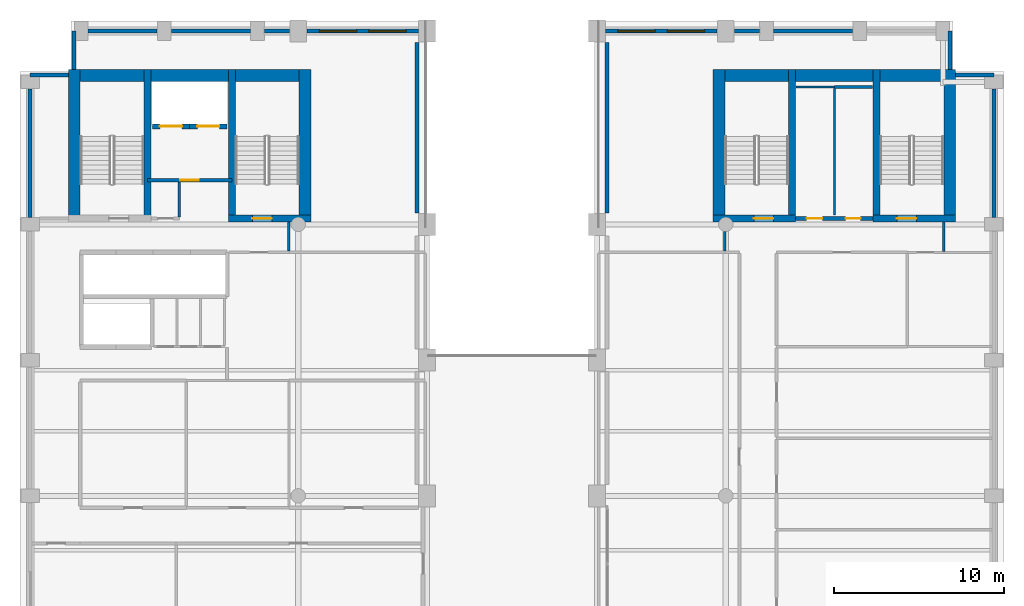
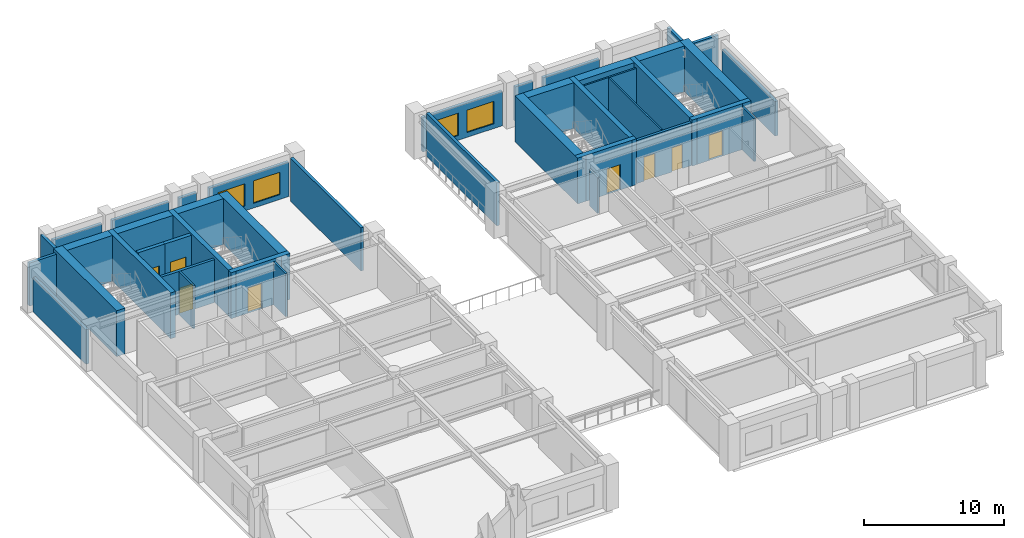
# One storey, part 6 of 10: 39 walls, 8 doors, 4 windows, 12 openings.
"""IFC4 building model written with IfcOpenShell, lengths in metres."""

from ifc_helpers import new_model, si_unit, direction, frame, frame_2d, origin, place, context, subcontext, project, spatial, rectangle, extrude, material, layer, layer_set, type_object, element, fill, save


model = new_model("IFC4")

# Units and contexts
model_context = context("Model", 3, precision=1e-05, world=origin(), true_north=direction((0.0, 1.0)))
body_context = subcontext(model_context, "Body", "Model", "MODEL_VIEW")
ifc_project = project(units=[si_unit("LENGTHUNIT", "METRE"), si_unit("AREAUNIT", "SQUARE_METRE"), si_unit("VOLUMEUNIT", "CUBIC_METRE"), si_unit("PLANEANGLEUNIT", "RADIAN"), si_unit("MASSUNIT", "GRAM", prefix="KILO")], contexts=[model_context])

# Site, building, storey
site_placement = place(None, origin())
site = spatial("IfcSite", under=ifc_project, at=site_placement, CompositionType="ELEMENT")
building_placement = place(site_placement, origin())
building = spatial("IfcBuilding", under=site, at=building_placement, Name="Sulina Concourse Tower", CompositionType="ELEMENT")
storey_placement = place(building_placement, frame((0.0, 0.0, 182.60009765625)))
storey = spatial("IfcBuildingStorey", under=building, at=storey_placement, Name="L44", CompositionType="ELEMENT", Elevation=182.60009765625)

# Wall, opening, door
ifc_material_1 = material(Name="Concrete C50/60", Category="concrete")
ifc_layer_1 = layer(ifc_material_1, 0.300048828125)
ifc_layer_set_1 = layer_set([ifc_layer_1], Name="Concrete C50/60")
wall_type_1 = type_object("IfcWallType", Name="Core Lift Hoistway Wall 300mm", PredefinedType="SOLIDWALL", material=ifc_layer_set_1)
wall_1_placement = place(storey_placement, frame((10.0, 39.780029296875, 0.0), z_axis=(0.0, 0.0, 1.0), x_axis=(-1.0, 0.0, 0.0)))
wall_1 = element("IfcWall", 1, at=wall_1_placement, inside=storey, type_object=wall_type_1, Name="L44 hoistway enclosure wall FFL-1", PredefinedType="SOLIDWALL", context=body_context, shape_type="SweptSolid", body=[
    extrude(rectangle(XDim=2.199951171875, YDim=0.300048828125, at=frame_2d((1.10009765625, 0.0))), origin(), (0.0, 0.0, 1.0), 4.0),
])
opening_1_placement = place(wall_1_placement, frame((0.449951171875, 0.0, 0.0)))
opening_1 = element("IfcOpeningElement", 2, at=opening_1_placement, cuts=wall_1, Name="Opening LD-02", PredefinedType="OPENING", context=body_context, shape_type="SweptSolid", body=[
    extrude(rectangle(XDim=1.300048828125, YDim=2.25, at=frame_2d((0.64990234375, 1.125))), frame((0.0, 0.159912109375, 0.0), z_axis=(0.0, -1.0, 0.0), x_axis=(1.0, 0.0, 0.0)), (0.0, 0.0, 1.0), 0.320068359375),
])
ifc_material_2 = material(Name="Stainless steel lift landing door", Category="steel")
ifc_layer_2 = layer(ifc_material_2, 0.050048828125)
ifc_layer_set_2 = layer_set([ifc_layer_2], Name="Stainless steel lift landing door")
door_type_1 = type_object("IfcDoorType", Name="Firefighting Lift Sliding Landing Door 1300x2250", OperationType="SLIDING_TO_RIGHT", PredefinedType="DOOR", material=ifc_layer_set_2)
door_1_placement = place(opening_1_placement, origin())
door_1 = element("IfcDoor", 3, at=door_1_placement, inside=storey, type_object=door_type_1, Name="L44 lift landing sliding door FFL-1", OperationType="SLIDING_TO_LEFT", OverallHeight=2.25, OverallWidth=1.300048828125, PredefinedType="DOOR", context=body_context, shape_type="SweptSolid", body=[
    extrude(rectangle(XDim=1.300048828125, YDim=2.25, at=frame_2d((0.64990234375, 1.125))), frame((0.0, 0.02490234375, 0.0), z_axis=(0.0, -1.0, 0.0), x_axis=(1.0, 0.0, 0.0)), (0.0, 0.0, 1.0), 0.050048828125),
])
fill(opening_1, door_1)

wall_2_placement = place(storey_placement, frame((12.199951171875, 39.780029296875, 0.0), z_axis=(0.0, 0.0, 1.0), x_axis=(-1.0, 0.0, 0.0)))
wall_2 = element("IfcWall", 4, at=wall_2_placement, inside=storey, type_object=wall_type_1, Name="L44 hoistway enclosure wall FFL-2", PredefinedType="SOLIDWALL", context=body_context, shape_type="SweptSolid", body=[
    extrude(rectangle(XDim=2.199951171875, YDim=0.300048828125, at=frame_2d((1.10009765625, 0.0))), origin(), (0.0, 0.0, 1.0), 4.0),
])
opening_2_placement = place(wall_2_placement, frame((0.449951171875, 0.0, 0.0)))
opening_2 = element("IfcOpeningElement", 5, at=opening_2_placement, cuts=wall_2, Name="Opening LD-02", PredefinedType="OPENING", context=body_context, shape_type="SweptSolid", body=[
    extrude(rectangle(XDim=1.300048828125, YDim=2.25, at=frame_2d((0.64990234375, 1.125))), frame((0.0, 0.159912109375, 0.0), z_axis=(0.0, -1.0, 0.0), x_axis=(1.0, 0.0, 0.0)), (0.0, 0.0, 1.0), 0.320068359375),
])
door_2_placement = place(opening_2_placement, origin())
door_2 = element("IfcDoor", 6, at=door_2_placement, inside=storey, type_object=door_type_1, Name="L44 lift landing sliding door FFL-2", OperationType="SLIDING_TO_RIGHT", OverallHeight=2.25, OverallWidth=1.300048828125, PredefinedType="DOOR", context=body_context, shape_type="SweptSolid", body=[
    extrude(rectangle(XDim=1.300048828125, YDim=2.25, at=frame_2d((0.64990234375, 1.125))), frame((0.0, 0.02490234375, 0.0), z_axis=(0.0, -1.0, 0.0), x_axis=(1.0, 0.0, 0.0)), (0.0, 0.0, 1.0), 0.050048828125),
])
fill(opening_2, door_2)

# Walls
ifc_material_3 = material(Name="Precast concrete C50/60", Category="concrete")
ifc_layer_3 = layer(ifc_material_3, 0.239990234375)
ifc_layer_set_3 = layer_set([ifc_layer_3], Name="Precast concrete C50/60")
wall_type_2 = type_object("IfcWallType", Name="Crown Precast Masonry-Frame Facade Wall 240mm", PredefinedType="SOLIDWALL", material=ifc_layer_set_3)
wall_3_placement = place(storey_placement, frame((0.60009765625, 34.419921875, 0.0), z_axis=(0.0, 0.0, 1.0), x_axis=(0.0, 1.0, 0.0)))
element("IfcWall", 7, at=wall_3_placement, inside=storey, type_object=wall_type_2, Name="L44 exterior precast wall W5", PredefinedType="SOLIDWALL", context=body_context, shape_type="SweptSolid", body=[
    extrude(rectangle(XDim=7.56005859375, YDim=0.239990234375, at=frame_2d((3.780029296875, 0.0))), origin(), (0.0, 0.0, 1.0), 3.0),
])
wall_4_placement = place(storey_placement, frame((4.02001953125, 45.39990234375, 0.0), z_axis=(0.0, 0.0, 1.0), x_axis=(1.0, 0.0, 0.0)))
element("IfcWall", 8, at=wall_4_placement, inside=storey, type_object=wall_type_2, Name="L44 exterior precast wall N1", PredefinedType="SOLIDWALL", context=body_context, shape_type="SweptSolid", body=[
    extrude(rectangle(XDim=4.06005859375, YDim=0.239990234375, at=frame_2d((2.030029296875, 0.0))), origin(), (0.0, 0.0, 1.0), 3.0),
])
wall_5_placement = place(storey_placement, frame((8.919921875, 45.39990234375, 0.0), z_axis=(0.0, 0.0, 1.0), x_axis=(1.0, 0.0, 0.0)))
element("IfcWall", 9, at=wall_5_placement, inside=storey, type_object=wall_type_2, Name="L44 exterior precast wall N2", PredefinedType="SOLIDWALL", context=body_context, shape_type="SweptSolid", body=[
    extrude(rectangle(XDim=4.66015625, YDim=0.239990234375, at=frame_2d((2.330078125, 0.0))), origin(), (0.0, 0.0, 1.0), 3.0),
])
wall_6_placement = place(storey_placement, frame((14.419921875, 45.39990234375, 0.0), z_axis=(0.0, 0.0, 1.0), x_axis=(1.0, 0.0, 0.0)))
element("IfcWall", 10, at=wall_6_placement, inside=storey, type_object=wall_type_2, Name="L44 exterior precast wall N3", PredefinedType="SOLIDWALL", context=body_context, shape_type="SweptSolid", body=[
    extrude(rectangle(XDim=1.4599609375, YDim=0.239990234375, at=frame_2d((0.72998046875, 0.0))), origin(), (0.0, 0.0, 1.0), 3.0),
])

# Wall, openings, windows
wall_7_placement = place(storey_placement, frame((16.919921875, 45.39990234375, 0.0), z_axis=(0.0, 0.0, 1.0), x_axis=(1.0, 0.0, 0.0)))
wall_7 = element("IfcWall", 11, at=wall_7_placement, inside=storey, type_object=wall_type_2, Name="L44 exterior precast wall N4", PredefinedType="SOLIDWALL", context=body_context, shape_type="SweptSolid", body=[
    extrude(rectangle(XDim=6.56005859375, YDim=0.239990234375, at=frame_2d((3.280029296875, 0.0))), origin(), (0.0, 0.0, 1.0), 3.0),
])
opening_3_placement = place(wall_7_placement, frame((0.719970703125, 0.0, 0.419921875)))
opening_3 = element("IfcOpeningElement", 12, at=opening_3_placement, cuts=wall_7, Name="Opening WN-76", PredefinedType="OPENING", context=body_context, shape_type="SweptSolid", body=[
    extrude(rectangle(XDim=2.199951171875, YDim=1.949951171875, at=frame_2d((1.10009765625, 0.97509765625))), frame((0.0, 0.1298828125, 0.0), z_axis=(0.0, -1.0, 0.0), x_axis=(1.0, 0.0, 0.0)), (0.0, 0.0, 1.0), 0.260009765625),
])
opening_4_placement = place(wall_7_placement, frame((3.639892578125, 0.0, 0.419921875)))
opening_4 = element("IfcOpeningElement", 13, at=opening_4_placement, cuts=wall_7, Name="Opening WN-76", PredefinedType="OPENING", context=body_context, shape_type="SweptSolid", body=[
    extrude(rectangle(XDim=2.199951171875, YDim=1.949951171875, at=frame_2d((1.10009765625, 0.97509765625))), frame((0.0, 0.1298828125, 0.0), z_axis=(0.0, -1.0, 0.0), x_axis=(1.0, 0.0, 0.0)), (0.0, 0.0, 1.0), 0.260009765625),
])
ifc_material_4 = material(Name="Low-E solar double glazing in bronze aluminium", Category="aluminium")
window_type = type_object("IfcWindowType", Name="Recessed Spandrel Window 2200x1950", PartitioningType="DOUBLE_PANEL_VERTICAL", PredefinedType="WINDOW", material=ifc_material_4)
window_1_placement = place(opening_3_placement, origin())
window_1 = element("IfcWindow", 14, at=window_1_placement, inside=storey, type_object=window_type, Name="L44 punched window N4-1", OverallHeight=1.949951171875, OverallWidth=2.199951171875, PartitioningType="SINGLE_PANEL", PredefinedType="WINDOW", context=body_context, shape_type="SweptSolid", body=[
    extrude(rectangle(XDim=2.199951171875, YDim=1.949951171875, at=frame_2d((1.10009765625, 0.97509765625))), frame((0.0, 0.030029296875, 0.0), z_axis=(0.0, -1.0, 0.0), x_axis=(1.0, 0.0, 0.0)), (0.0, 0.0, 1.0), 0.06005859375),
])
fill(opening_3, window_1)
window_2_placement = place(opening_4_placement, origin())
window_2 = element("IfcWindow", 15, at=window_2_placement, inside=storey, type_object=window_type, Name="L44 punched window N4-2", OverallHeight=1.949951171875, OverallWidth=2.199951171875, PartitioningType="SINGLE_PANEL", PredefinedType="WINDOW", context=body_context, shape_type="SweptSolid", body=[
    extrude(rectangle(XDim=2.199951171875, YDim=1.949951171875, at=frame_2d((1.10009765625, 0.97509765625))), frame((0.0, 0.030029296875, 0.0), z_axis=(0.0, -1.0, 0.0), x_axis=(1.0, 0.0, 0.0)), (0.0, 0.0, 1.0), 0.06005859375),
])
fill(opening_4, window_2)

wall_8_placement = place(storey_placement, frame((34.52001953125, 45.39990234375, 0.0), z_axis=(0.0, 0.0, 1.0), x_axis=(1.0, 0.0, 0.0)))
wall_8 = element("IfcWall", 16, at=wall_8_placement, inside=storey, type_object=wall_type_2, Name="L44 exterior precast wall N6", PredefinedType="SOLIDWALL", context=body_context, shape_type="SweptSolid", body=[
    extrude(rectangle(XDim=6.56005859375, YDim=0.239990234375, at=frame_2d((3.280029296875, 0.0))), origin(), (0.0, 0.0, 1.0), 3.0),
])
opening_5_placement = place(wall_8_placement, frame((0.719970703125, 0.0, 0.419921875)))
opening_5 = element("IfcOpeningElement", 17, at=opening_5_placement, cuts=wall_8, Name="Opening WN-76", PredefinedType="OPENING", context=body_context, shape_type="SweptSolid", body=[
    extrude(rectangle(XDim=2.199951171875, YDim=1.949951171875, at=frame_2d((1.10009765625, 0.97509765625))), frame((0.0, 0.1298828125, 0.0), z_axis=(0.0, -1.0, 0.0), x_axis=(1.0, 0.0, 0.0)), (0.0, 0.0, 1.0), 0.260009765625),
])
opening_6_placement = place(wall_8_placement, frame((3.639892578125, 0.0, 0.419921875)))
opening_6 = element("IfcOpeningElement", 18, at=opening_6_placement, cuts=wall_8, Name="Opening WN-76", PredefinedType="OPENING", context=body_context, shape_type="SweptSolid", body=[
    extrude(rectangle(XDim=2.199951171875, YDim=1.949951171875, at=frame_2d((1.10009765625, 0.97509765625))), frame((0.0, 0.1298828125, 0.0), z_axis=(0.0, -1.0, 0.0), x_axis=(1.0, 0.0, 0.0)), (0.0, 0.0, 1.0), 0.260009765625),
])
window_3_placement = place(opening_5_placement, origin())
window_3 = element("IfcWindow", 19, at=window_3_placement, inside=storey, type_object=window_type, Name="L44 punched window N6-1", OverallHeight=1.949951171875, OverallWidth=2.199951171875, PartitioningType="SINGLE_PANEL", PredefinedType="WINDOW", context=body_context, shape_type="SweptSolid", body=[
    extrude(rectangle(XDim=2.199951171875, YDim=1.949951171875, at=frame_2d((1.10009765625, 0.97509765625))), frame((0.0, 0.030029296875, 0.0), z_axis=(0.0, -1.0, 0.0), x_axis=(1.0, 0.0, 0.0)), (0.0, 0.0, 1.0), 0.06005859375),
])
fill(opening_5, window_3)
window_4_placement = place(opening_6_placement, origin())
window_4 = element("IfcWindow", 20, at=window_4_placement, inside=storey, type_object=window_type, Name="L44 punched window N6-2", OverallHeight=1.949951171875, OverallWidth=2.199951171875, PartitioningType="SINGLE_PANEL", PredefinedType="WINDOW", context=body_context, shape_type="SweptSolid", body=[
    extrude(rectangle(XDim=2.199951171875, YDim=1.949951171875, at=frame_2d((1.10009765625, 0.97509765625))), frame((0.0, 0.030029296875, 0.0), z_axis=(0.0, -1.0, 0.0), x_axis=(1.0, 0.0, 0.0)), (0.0, 0.0, 1.0), 0.06005859375),
])
fill(opening_6, window_4)

# Walls
wall_9_placement = place(storey_placement, frame((42.1201171875, 45.39990234375, 0.0), z_axis=(0.0, 0.0, 1.0), x_axis=(1.0, 0.0, 0.0)))
element("IfcWall", 21, at=wall_9_placement, inside=storey, type_object=wall_type_2, Name="L44 exterior precast wall N7", PredefinedType="SOLIDWALL", context=body_context, shape_type="SweptSolid", body=[
    extrude(rectangle(XDim=1.4599609375, YDim=0.239990234375, at=frame_2d((0.72998046875, 0.0))), origin(), (0.0, 0.0, 1.0), 3.0),
])
wall_10_placement = place(storey_placement, frame((44.419921875, 45.39990234375, 0.0), z_axis=(0.0, 0.0, 1.0), x_axis=(1.0, 0.0, 0.0)))
element("IfcWall", 22, at=wall_10_placement, inside=storey, type_object=wall_type_2, Name="L44 exterior precast wall N8", PredefinedType="SOLIDWALL", context=body_context, shape_type="SweptSolid", body=[
    extrude(rectangle(XDim=4.66015625, YDim=0.239990234375, at=frame_2d((2.330078125, 0.0))), origin(), (0.0, 0.0, 1.0), 3.0),
])
wall_11_placement = place(storey_placement, frame((57.39990234375, 41.97998046875, 0.0), z_axis=(0.0, 0.0, 1.0), x_axis=(0.0, -1.0, 0.0)))
element("IfcWall", 23, at=wall_11_placement, inside=storey, type_object=wall_type_2, Name="L44 exterior precast wall E5", PredefinedType="SOLIDWALL", context=body_context, shape_type="SweptSolid", body=[
    extrude(rectangle(XDim=7.56005859375, YDim=0.239990234375, at=frame_2d((3.780029296875, 0.0))), origin(), (0.0, 0.0, 1.0), 3.0),
])
wall_12_placement = place(storey_placement, frame((0.60009765625, 42.820068359375, 0.0), z_axis=(0.0, 0.0, 1.0), x_axis=(1.0, 0.0, 0.0)))
element("IfcWall", 24, at=wall_12_placement, inside=storey, type_object=wall_type_2, Name="L44 exterior precast wall CNW1", PredefinedType="SOLIDWALL", context=body_context, shape_type="SweptSolid", body=[
    extrude(rectangle(XDim=2.244873046875, YDim=0.239990234375, at=frame_2d((1.12255859375, 0.0))), origin(), (0.0, 0.0, 1.0), 3.75),
])
for number, where, z_axis, x_axis, name in (
    (25, (3.179931640625, 43.135009765625, 0.0), (0.0, 0.0, 1.0), (0.0, 1.0, 0.0), "L44 exterior precast wall CNW2"),
    (26, (54.820068359375, 45.39990234375, 0.0), (0.0, 0.0, 1.0), (0.0, -1.0, 0.0), "L44 exterior precast wall CNE1"),
):
    element("IfcWall", number, at=place(storey_placement, frame(where, z_axis=z_axis, x_axis=x_axis)), inside=storey, type_object=wall_type_2, Name=name, PredefinedType="SOLIDWALL", context=body_context, shape_type="SweptSolid", body=[
        extrude(rectangle(XDim=2.264892578125, YDim=0.239990234375, at=frame_2d((1.13232421875, 0.0))), origin(), (0.0, 0.0, 1.0), 3.75),
    ])
wall_13_placement = place(storey_placement, frame((55.155029296875, 42.820068359375, 0.0), z_axis=(0.0, 0.0, 1.0), x_axis=(1.0, 0.0, 0.0)))
element("IfcWall", 27, at=wall_13_placement, inside=storey, type_object=wall_type_2, Name="L44 exterior precast wall CNE2", PredefinedType="SOLIDWALL", context=body_context, shape_type="SweptSolid", body=[
    extrude(rectangle(XDim=2.244873046875, YDim=0.239990234375, at=frame_2d((1.12255859375, 0.0))), origin(), (0.0, 0.0, 1.0), 3.75),
])
for number, where, z_axis, x_axis, name in (
    (28, (23.39990234375, 44.72998046875, 0.0), (0.0, 0.0, 1.0), (0.0, -1.0, 0.0), "L44 exterior precast wall PW5"),
    (29, (34.60009765625, 34.669921875, 0.0), (0.0, 0.0, 1.0), (0.0, 1.0, 0.0), "L44 exterior precast wall PE5"),
):
    element("IfcWall", number, at=place(storey_placement, frame(where, z_axis=z_axis, x_axis=x_axis)), inside=storey, type_object=wall_type_2, Name=name, PredefinedType="SOLIDWALL", context=body_context, shape_type="SweptSolid", body=[
        extrude(rectangle(XDim=10.06005859375, YDim=0.239990234375, at=frame_2d((5.030029296875, 0.0))), origin(), (0.0, 0.0, 1.0), 3.75),
    ])

# Wall, opening, door
ifc_material_5 = material(Name="Gypsum board on steel stud", Category="steel")
ifc_layer_4 = layer(ifc_material_5, 0.219970703125)
ifc_layer_set_4 = layer_set([ifc_layer_4], Name="Gypsum board on steel stud")
wall_type_3 = type_object("IfcWallType", Name="Fire-Rated Lobby & Compartment Wall 220mm", PredefinedType="PARTITIONING", material=ifc_layer_set_4)
wall_14_placement = place(storey_placement, frame((7.510009765625, 36.60009765625, 0.0), z_axis=(0.0, 0.0, 1.0), x_axis=(1.0, 0.0, 0.0)))
wall_14 = element("IfcWall", 30, at=wall_14_placement, inside=storey, type_object=wall_type_3, Name="L44 firefighting lobby south fire wall", PredefinedType="PARTITIONING", context=body_context, shape_type="SweptSolid", body=[
    extrude(rectangle(XDim=4.97998046875, YDim=0.219970703125, at=frame_2d((2.489990234375, 0.0))), origin(), (0.0, 0.0, 1.0), 3.75),
])
opening_7_placement = place(wall_14_placement, frame((1.93994140625, 0.0, 0.0)))
opening_7 = element("IfcOpeningElement", 31, at=opening_7_placement, cuts=wall_14, Name="Opening DR-47", PredefinedType="OPENING", context=body_context, shape_type="SweptSolid", body=[
    extrude(rectangle(XDim=1.10009765625, YDim=2.199951171875, at=frame_2d((0.550048828125, 1.10009765625))), frame((0.0, 0.119873046875, 0.0), z_axis=(0.0, -1.0, 0.0), x_axis=(1.0, 0.0, 0.0)), (0.0, 0.0, 1.0), 0.239990234375),
])
ifc_material_6 = material(Name="Galvanised steel acoustic fire leaf", Category="steel")
ifc_layer_5 = layer(ifc_material_6, 0.054931640625)
ifc_layer_set_5 = layer_set([ifc_layer_5], Name="Galvanised steel acoustic fire leaf")
door_type_2 = type_object("IfcDoorType", Name="Firefighting Lobby Fire Door 1100x2200", OperationType="NOTDEFINED", PredefinedType="DOOR", material=ifc_layer_set_5)
door_3_placement = place(opening_7_placement, origin())
door_3 = element("IfcDoor", 32, at=door_3_placement, inside=storey, type_object=door_type_2, Name="L44 firefighting lobby fire door", OperationType="SINGLE_SWING_LEFT", OverallHeight=2.199951171875, OverallWidth=1.10009765625, PredefinedType="DOOR", context=body_context, shape_type="SweptSolid", body=[
    extrude(rectangle(XDim=1.10009765625, YDim=2.199951171875, at=frame_2d((0.550048828125, 1.10009765625))), frame((0.0, 0.02490234375, 0.0), z_axis=(0.0, -1.0, 0.0), x_axis=(1.0, 0.0, 0.0)), (0.0, 0.0, 1.0), 0.050048828125),
])
fill(opening_7, door_3)

# Wall, openings, doors
wall_15_placement = place(storey_placement, frame((45.719970703125, 34.35009765625, 0.0), z_axis=(0.0, 0.0, 1.0), x_axis=(1.0, 0.0, 0.0)))
wall_15 = element("IfcWall", 33, at=wall_15_placement, inside=storey, type_object=wall_type_3, Name="L44 east core south lobby wall", PredefinedType="PARTITIONING", context=body_context, shape_type="SweptSolid", body=[
    extrude(rectangle(XDim=4.56005859375, YDim=0.219970703125, at=frame_2d((2.280029296875, 0.0))), origin(), (0.0, 0.0, 1.0), 3.75),
])
opening_8_placement = place(wall_15_placement, frame((0.64990234375, 0.0, 0.0)))
opening_8 = element("IfcOpeningElement", 34, at=opening_8_placement, cuts=wall_15, Name="Opening DR-61", PredefinedType="OPENING", context=body_context, shape_type="SweptSolid", body=[
    extrude(rectangle(XDim=0.919921875, YDim=2.10009765625, at=frame_2d((0.4599609375, 1.050048828125))), frame((0.0, 0.119873046875, 0.0), z_axis=(0.0, -1.0, 0.0), x_axis=(1.0, 0.0, 0.0)), (0.0, 0.0, 1.0), 0.239990234375),
])
opening_9_placement = place(wall_15_placement, frame((2.949951171875, 0.0, 0.0)))
opening_9 = element("IfcOpeningElement", 35, at=opening_9_placement, cuts=wall_15, Name="Opening DR-38", PredefinedType="OPENING", context=body_context, shape_type="SweptSolid", body=[
    extrude(rectangle(XDim=0.8798828125, YDim=2.10009765625, at=frame_2d((0.43994140625, 1.050048828125))), frame((0.0, 0.119873046875, 0.0), z_axis=(0.0, -1.0, 0.0), x_axis=(1.0, 0.0, 0.0)), (0.0, 0.0, 1.0), 0.239990234375),
])
ifc_material_7 = material(Name="Oak-veneered fire door leaf")
ifc_layer_6 = layer(ifc_material_7, 0.050048828125)
ifc_layer_set_6 = layer_set([ifc_layer_6], Name="Oak-veneered fire door leaf")
door_type_3 = type_object("IfcDoorType", Name="Accessible WC Door 920x2100", OperationType="NOTDEFINED", PredefinedType="DOOR", material=ifc_layer_set_6)
door_4_placement = place(opening_8_placement, origin())
door_4 = element("IfcDoor", 36, at=door_4_placement, inside=storey, type_object=door_type_3, Name="L44 east core accessible wc door", OperationType="SINGLE_SWING_LEFT", OverallHeight=2.10009765625, OverallWidth=0.919921875, PredefinedType="DOOR", context=body_context, shape_type="SweptSolid", body=[
    extrude(rectangle(XDim=0.919921875, YDim=2.10009765625, at=frame_2d((0.4599609375, 1.050048828125))), frame((0.0, 0.02490234375, 0.0), z_axis=(0.0, -1.0, 0.0), x_axis=(1.0, 0.0, 0.0)), (0.0, 0.0, 1.0), 0.050048828125),
])
fill(opening_8, door_4)
ifc_material_8 = material(Name="Galvanised steel acoustic fire leaf", Category="steel")
ifc_layer_7 = layer(ifc_material_8, 0.050048828125)
ifc_layer_set_7 = layer_set([ifc_layer_7], Name="Galvanised steel acoustic fire leaf")
door_type_4 = type_object("IfcDoorType", Name="Service Riser Fire Door 880x2100", OperationType="NOTDEFINED", PredefinedType="DOOR", material=ifc_layer_set_7)
door_5_placement = place(opening_9_placement, origin())
door_5 = element("IfcDoor", 37, at=door_5_placement, inside=storey, type_object=door_type_4, Name="L44 east core store door", OperationType="SINGLE_SWING_RIGHT", OverallHeight=2.10009765625, OverallWidth=0.8798828125, PredefinedType="DOOR", context=body_context, shape_type="SweptSolid", body=[
    extrude(rectangle(XDim=0.8798828125, YDim=2.10009765625, at=frame_2d((0.43994140625, 1.050048828125))), frame((0.0, 0.02490234375, 0.0), z_axis=(0.0, -1.0, 0.0), x_axis=(1.0, 0.0, 0.0)), (0.0, 0.0, 1.0), 0.050048828125),
])
fill(opening_9, door_5)

# Walls
ifc_material_9 = material(Name="Gypsum board on steel stud", Category="steel")
ifc_layer_8 = layer(ifc_material_9, 0.14990234375)
ifc_layer_set_8 = layer_set([ifc_layer_8], Name="Gypsum board on steel stud")
wall_type_4 = type_object("IfcWallType", Name="Inter-Tenancy Acoustic Partition 150mm", PredefinedType="PARTITIONING", material=ifc_layer_set_8)
wall_16_placement = place(storey_placement, frame((48.0, 42.10009765625, 0.0), z_axis=(0.0, 0.0, 1.0), x_axis=(1.0, 0.0, 0.0)))
element("IfcWall", 38, at=wall_16_placement, inside=storey, type_object=wall_type_4, Name="L44 interior partition 031", PredefinedType="PARTITIONING", context=body_context, shape_type="SweptSolid", body=[
    extrude(rectangle(XDim=2.25, YDim=0.14990234375, at=frame_2d((1.125, 0.0))), origin(), (0.0, 0.0, 1.0), 3.75),
])
wall_17_placement = place(storey_placement, frame((9.39990234375, 34.425048828125, 0.0), z_axis=(0.0, 0.0, 1.0), x_axis=(0.0, 1.0, 0.0)))
element("IfcWall", 39, at=wall_17_placement, inside=storey, type_object=wall_type_4, Name="L44 interior partition 035", PredefinedType="PARTITIONING", context=body_context, shape_type="SweptSolid", body=[
    extrude(rectangle(XDim=2.06494140625, YDim=0.14990234375, at=frame_2d((1.032470703125, 0.0))), origin(), (0.0, 0.0, 1.0), 3.75),
])
wall_18_placement = place(storey_placement, frame((15.85009765625, 32.425048828125, 0.0), z_axis=(0.0, 0.0, 1.0), x_axis=(0.0, 1.0, 0.0)))
element("IfcWall", 40, at=wall_18_placement, inside=storey, type_object=wall_type_4, Name="L44 interior partition 041", PredefinedType="PARTITIONING", context=body_context, shape_type="SweptSolid", body=[
    extrude(rectangle(XDim=1.724853515625, YDim=0.14990234375, at=frame_2d((0.8623046875, 0.0))), origin(), (0.0, 0.0, 1.0), 3.75),
])
wall_19_placement = place(storey_placement, frame((41.550048828125, 32.425048828125, 0.0), z_axis=(0.0, 0.0, 1.0), x_axis=(0.0, 1.0, 0.0)))
element("IfcWall", 41, at=wall_19_placement, inside=storey, type_object=wall_type_4, Name="L44 interior partition 050", PredefinedType="PARTITIONING", context=body_context, shape_type="SweptSolid", body=[
    extrude(rectangle(XDim=1.14990234375, YDim=0.14990234375, at=frame_2d((0.574951171875, 0.0))), origin(), (0.0, 0.0, 1.0), 3.14501953125),
])
wall_20_placement = place(storey_placement, frame((54.449951171875, 32.41259765625, 0.0), z_axis=(0.0, 0.0, 1.0), x_axis=(0.0, 1.0, 0.0)))
element("IfcWall", 42, at=wall_20_placement, inside=storey, type_object=wall_type_4, Name="L44 interior partition 058", PredefinedType="PARTITIONING", context=body_context, shape_type="SweptSolid", body=[
    extrude(rectangle(XDim=1.7373046875, YDim=0.14990234375, at=frame_2d((0.86865234375, 0.0))), origin(), (0.0, 0.0, 1.0), 3.75),
])

# Wall, opening, door
ifc_material_10 = material(Name="Concrete C60/75", Category="concrete")
ifc_layer_9 = layer(ifc_material_10, 0.39990234375)
ifc_layer_set_9 = layer_set([ifc_layer_9], Name="Concrete C60/75")
wall_type_5 = type_object("IfcWallType", Name="Protected Stair Core Shear Wall 400mm", PredefinedType="SHEAR", material=ifc_layer_set_9)
wall_21_placement = place(storey_placement, frame((12.2900390625, 34.35009765625, 0.0), z_axis=(0.0, 0.0, 1.0), x_axis=(1.0, 0.0, 0.0)))
wall_21 = element("IfcWall", 43, at=wall_21_placement, inside=storey, type_object=wall_type_5, Name="L44 west core shear wall CW-WS2", PredefinedType="SHEAR", context=body_context, shape_type="SweptSolid", body=[
    extrude(rectangle(XDim=4.85986328125, YDim=0.39990234375, at=frame_2d((2.429931640625, 0.0))), origin(), (0.0, 0.0, 1.0), 4.0),
])
opening_10_placement = place(wall_21_placement, frame((1.39990234375, 0.0, 0.0)))
opening_10 = element("IfcOpeningElement", 44, at=opening_10_placement, cuts=wall_21, Name="Opening DR-60", PredefinedType="OPENING", context=body_context, shape_type="SweptSolid", body=[
    extrude(rectangle(XDim=1.14990234375, YDim=2.199951171875, at=frame_2d((0.574951171875, 1.10009765625))), frame((0.0, 0.2099609375, 0.0), z_axis=(0.0, -1.0, 0.0), x_axis=(1.0, 0.0, 0.0)), (0.0, 0.0, 1.0), 0.419921875),
])
ifc_material_11 = material(Name="Galvanised steel acoustic fire leaf", Category="steel")
ifc_layer_10 = layer(ifc_material_11, 0.054931640625)
ifc_layer_set_10 = layer_set([ifc_layer_10], Name="Galvanised steel acoustic fire leaf")
door_type_5 = type_object("IfcDoorType", Name="Protected Exit Stair Fire Door 1150x2200", OperationType="NOTDEFINED", PredefinedType="DOOR", material=ifc_layer_set_10)
door_6_placement = place(opening_10_placement, origin())
door_6 = element("IfcDoor", 45, at=door_6_placement, inside=storey, type_object=door_type_5, Name="L44 stair ST-2 lobby fire door", OperationType="SINGLE_SWING_RIGHT", OverallHeight=2.199951171875, OverallWidth=1.14990234375, PredefinedType="DOOR", context=body_context, shape_type="SweptSolid", body=[
    extrude(rectangle(XDim=1.14990234375, YDim=2.199951171875, at=frame_2d((0.574951171875, 1.10009765625))), frame((0.0, 0.02490234375, 0.0), z_axis=(0.0, -1.0, 0.0), x_axis=(1.0, 0.0, 0.0)), (0.0, 0.0, 1.0), 0.050048828125),
])
fill(opening_10, door_6)

# Walls
for number, where, z_axis, x_axis, name in (
    (46, (7.510009765625, 34.14990234375, 0.0), (0.0, 0.0, 1.0), (0.0, 1.0, 0.0), "L44 west core shear wall SW-ST1"),
    (47, (12.489990234375, 34.14990234375, 0.0), (0.0, 0.0, 1.0), (0.0, 1.0, 0.0), "L44 west core shear wall SW-ST2"),
):
    element("IfcWall", number, at=place(storey_placement, frame(where, z_axis=z_axis, x_axis=x_axis)), inside=storey, type_object=wall_type_5, Name=name, PredefinedType="SHEAR", context=body_context, shape_type="SweptSolid", body=[
        extrude(rectangle(XDim=8.97998046875, YDim=0.39990234375, at=frame_2d((4.489990234375, 0.0))), origin(), (0.0, 0.0, 1.0), 4.0),
    ])

# Wall, opening, door
wall_22_placement = place(storey_placement, frame((40.85009765625, 34.35009765625, 0.0), z_axis=(0.0, 0.0, 1.0), x_axis=(1.0, 0.0, 0.0)))
wall_22 = element("IfcWall", 48, at=wall_22_placement, inside=storey, type_object=wall_type_5, Name="L44 east core shear wall CW-ES1", PredefinedType="SHEAR", context=body_context, shape_type="SweptSolid", body=[
    extrude(rectangle(XDim=4.85986328125, YDim=0.39990234375, at=frame_2d((2.429931640625, 0.0))), origin(), (0.0, 0.0, 1.0), 4.0),
])
opening_11_placement = place(wall_22_placement, frame((2.39990234375, 0.0, 0.0)))
opening_11 = element("IfcOpeningElement", 49, at=opening_11_placement, cuts=wall_22, Name="Opening DR-60", PredefinedType="OPENING", context=body_context, shape_type="SweptSolid", body=[
    extrude(rectangle(XDim=1.14990234375, YDim=2.199951171875, at=frame_2d((0.574951171875, 1.10009765625))), frame((0.0, 0.2099609375, 0.0), z_axis=(0.0, -1.0, 0.0), x_axis=(1.0, 0.0, 0.0)), (0.0, 0.0, 1.0), 0.419921875),
])
door_7_placement = place(opening_11_placement, origin())
door_7 = element("IfcDoor", 50, at=door_7_placement, inside=storey, type_object=door_type_5, Name="L44 stair ST-3 south lobby fire door", OperationType="SINGLE_SWING_RIGHT", OverallHeight=2.199951171875, OverallWidth=1.14990234375, PredefinedType="DOOR", context=body_context, shape_type="SweptSolid", body=[
    extrude(rectangle(XDim=1.14990234375, YDim=2.199951171875, at=frame_2d((0.574951171875, 1.10009765625))), frame((0.0, 0.02490234375, 0.0), z_axis=(0.0, -1.0, 0.0), x_axis=(1.0, 0.0, 0.0)), (0.0, 0.0, 1.0), 0.050048828125),
])
fill(opening_11, door_7)

# Wall
wall_23_placement = place(storey_placement, frame((45.510009765625, 34.14990234375, 0.0), z_axis=(0.0, 0.0, 1.0), x_axis=(0.0, 1.0, 0.0)))
element("IfcWall", 51, at=wall_23_placement, inside=storey, type_object=wall_type_5, Name="L44 east core shear wall SW-ST3", PredefinedType="SHEAR", context=body_context, shape_type="SweptSolid", body=[
    extrude(rectangle(XDim=8.97998046875, YDim=0.39990234375, at=frame_2d((4.489990234375, 0.0))), origin(), (0.0, 0.0, 1.0), 4.0),
])

# Wall, opening, door
wall_24_placement = place(storey_placement, frame((50.2900390625, 34.35009765625, 0.0), z_axis=(0.0, 0.0, 1.0), x_axis=(1.0, 0.0, 0.0)))
wall_24 = element("IfcWall", 52, at=wall_24_placement, inside=storey, type_object=wall_type_5, Name="L44 east core shear wall CW-ES2", PredefinedType="SHEAR", context=body_context, shape_type="SweptSolid", body=[
    extrude(rectangle(XDim=4.85986328125, YDim=0.39990234375, at=frame_2d((2.429931640625, 0.0))), origin(), (0.0, 0.0, 1.0), 4.0),
])
opening_12_placement = place(wall_24_placement, frame((1.39990234375, 0.0, 0.0)))
opening_12 = element("IfcOpeningElement", 53, at=opening_12_placement, cuts=wall_24, Name="Opening DR-60", PredefinedType="OPENING", context=body_context, shape_type="SweptSolid", body=[
    extrude(rectangle(XDim=1.14990234375, YDim=2.199951171875, at=frame_2d((0.574951171875, 1.10009765625))), frame((0.0, 0.2099609375, 0.0), z_axis=(0.0, -1.0, 0.0), x_axis=(1.0, 0.0, 0.0)), (0.0, 0.0, 1.0), 0.419921875),
])
door_8_placement = place(opening_12_placement, origin())
door_8 = element("IfcDoor", 54, at=door_8_placement, inside=storey, type_object=door_type_5, Name="L44 stair ST-4 south lobby fire door", OperationType="SINGLE_SWING_LEFT", OverallHeight=2.199951171875, OverallWidth=1.14990234375, PredefinedType="DOOR", context=body_context, shape_type="SweptSolid", body=[
    extrude(rectangle(XDim=1.14990234375, YDim=2.199951171875, at=frame_2d((0.574951171875, 1.10009765625))), frame((0.0, 0.02490234375, 0.0), z_axis=(0.0, -1.0, 0.0), x_axis=(1.0, 0.0, 0.0)), (0.0, 0.0, 1.0), 0.050048828125),
])
fill(opening_12, door_8)

# Walls
wall_25_placement = place(storey_placement, frame((50.489990234375, 34.14990234375, 0.0), z_axis=(0.0, 0.0, 1.0), x_axis=(0.0, 1.0, 0.0)))
element("IfcWall", 55, at=wall_25_placement, inside=storey, type_object=wall_type_5, Name="L44 east core shear wall SW-ST4", PredefinedType="SHEAR", context=body_context, shape_type="SweptSolid", body=[
    extrude(rectangle(XDim=8.97998046875, YDim=0.39990234375, at=frame_2d((4.489990234375, 0.0))), origin(), (0.0, 0.0, 1.0), 4.0),
])
ifc_material_12 = material(Name="Concrete C60/75", Category="concrete")
ifc_layer_11 = layer(ifc_material_12, 0.699951171875)
ifc_layer_set_11 = layer_set([ifc_layer_11], Name="Concrete C60/75")
wall_type_6 = type_object("IfcWallType", Name="Rear Core Shear Wall 700mm", PredefinedType="SHEAR", material=ifc_layer_set_11)
wall_26_placement = place(storey_placement, frame((2.85009765625, 42.780029296875, 0.0), z_axis=(0.0, 0.0, 1.0), x_axis=(1.0, 0.0, 0.0)))
element("IfcWall", 56, at=wall_26_placement, inside=storey, type_object=wall_type_6, Name="L44 west core shear wall CW-WN", PredefinedType="SHEAR", context=body_context, shape_type="SweptSolid", body=[
    extrude(rectangle(XDim=14.2998046875, YDim=0.699951171875, at=frame_2d((7.14990234375, 0.0))), origin(), (0.0, 0.0, 1.0), 4.0),
])
for number, where, z_axis, x_axis, name in (
    (57, (3.199951171875, 34.14990234375, 0.0), (0.0, 0.0, 1.0), (0.0, 1.0, 0.0), "L44 west core shear wall CW-WW"),
    (58, (16.800048828125, 34.14990234375, 0.0), (0.0, 0.0, 1.0), (0.0, 1.0, 0.0), "L44 west core shear wall CW-WE"),
):
    element("IfcWall", number, at=place(storey_placement, frame(where, z_axis=z_axis, x_axis=x_axis)), inside=storey, type_object=wall_type_6, Name=name, PredefinedType="SHEAR", context=body_context, shape_type="SweptSolid", body=[
        extrude(rectangle(XDim=8.97998046875, YDim=0.699951171875, at=frame_2d((4.489990234375, 0.0))), origin(), (0.0, 0.0, 1.0), 4.0),
    ])
wall_27_placement = place(storey_placement, frame((40.85009765625, 42.780029296875, 0.0), z_axis=(0.0, 0.0, 1.0), x_axis=(1.0, 0.0, 0.0)))
element("IfcWall", 59, at=wall_27_placement, inside=storey, type_object=wall_type_6, Name="L44 east core shear wall CW-EN", PredefinedType="SHEAR", context=body_context, shape_type="SweptSolid", body=[
    extrude(rectangle(XDim=14.2998046875, YDim=0.699951171875, at=frame_2d((7.14990234375, 0.0))), origin(), (0.0, 0.0, 1.0), 4.0),
])
for number, where, z_axis, x_axis, name in (
    (60, (41.199951171875, 34.14990234375, 0.0), (0.0, 0.0, 1.0), (0.0, 1.0, 0.0), "L44 east core shear wall CW-EW"),
    (61, (54.800048828125, 34.14990234375, 0.0), (0.0, 0.0, 1.0), (0.0, 1.0, 0.0), "L44 east core shear wall CW-EE"),
):
    element("IfcWall", number, at=place(storey_placement, frame(where, z_axis=z_axis, x_axis=x_axis)), inside=storey, type_object=wall_type_6, Name=name, PredefinedType="SHEAR", context=body_context, shape_type="SweptSolid", body=[
        extrude(rectangle(XDim=8.97998046875, YDim=0.699951171875, at=frame_2d((4.489990234375, 0.0))), origin(), (0.0, 0.0, 1.0), 4.0),
    ])
ifc_material_13 = material(Name="Gypsum board on steel stud", Category="steel")
ifc_layer_12 = layer(ifc_material_13, 0.125)
ifc_layer_set_12 = layer_set([ifc_layer_12], Name="Gypsum board on steel stud")
wall_type_7 = type_object("IfcWallType", Name="Wet-Area Moisture-Resistant Partition 125mm", PredefinedType="PARTITIONING", material=ifc_layer_set_12)
wall_28_placement = place(storey_placement, frame((45.75, 42.10009765625, 0.0), z_axis=(0.0, 0.0, 1.0), x_axis=(1.0, 0.0, 0.0)))
element("IfcWall", 62, at=wall_28_placement, inside=storey, type_object=wall_type_7, Name="L44 interior partition 030", PredefinedType="PARTITIONING", context=body_context, shape_type="SweptSolid", body=[
    extrude(rectangle(XDim=2.25, YDim=0.125, at=frame_2d((1.125, 0.0))), origin(), (0.0, 0.0, 1.0), 3.75),
])
wall_29_placement = place(storey_placement, frame((48.0, 34.550048828125, 0.0), z_axis=(0.0, 0.0, 1.0), x_axis=(0.0, 1.0, 0.0)))
element("IfcWall", 63, at=wall_29_placement, inside=storey, type_object=wall_type_7, Name="L44 interior partition 056", PredefinedType="PARTITIONING", context=body_context, shape_type="SweptSolid", body=[
    extrude(rectangle(XDim=7.474853515625, YDim=0.125, at=frame_2d((3.7373046875, 0.0))), origin(), (0.0, 0.0, 1.0), 3.75),
])

save(model, "model.ifc")
